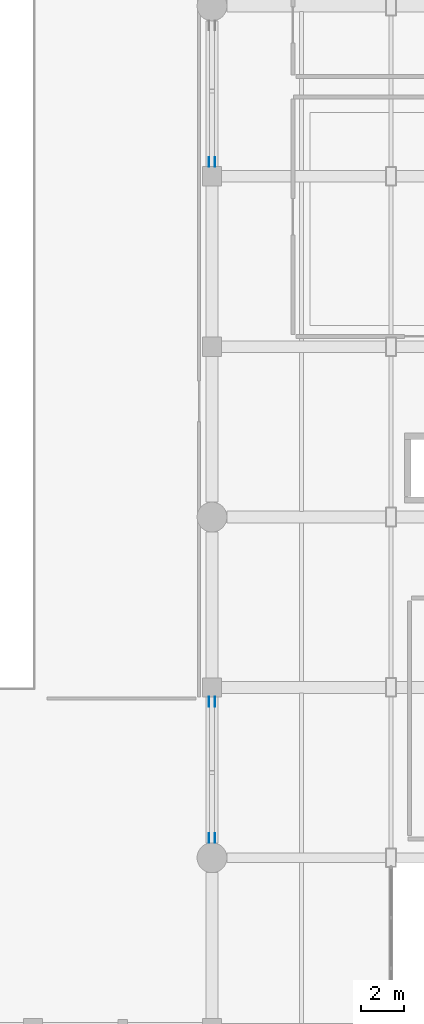
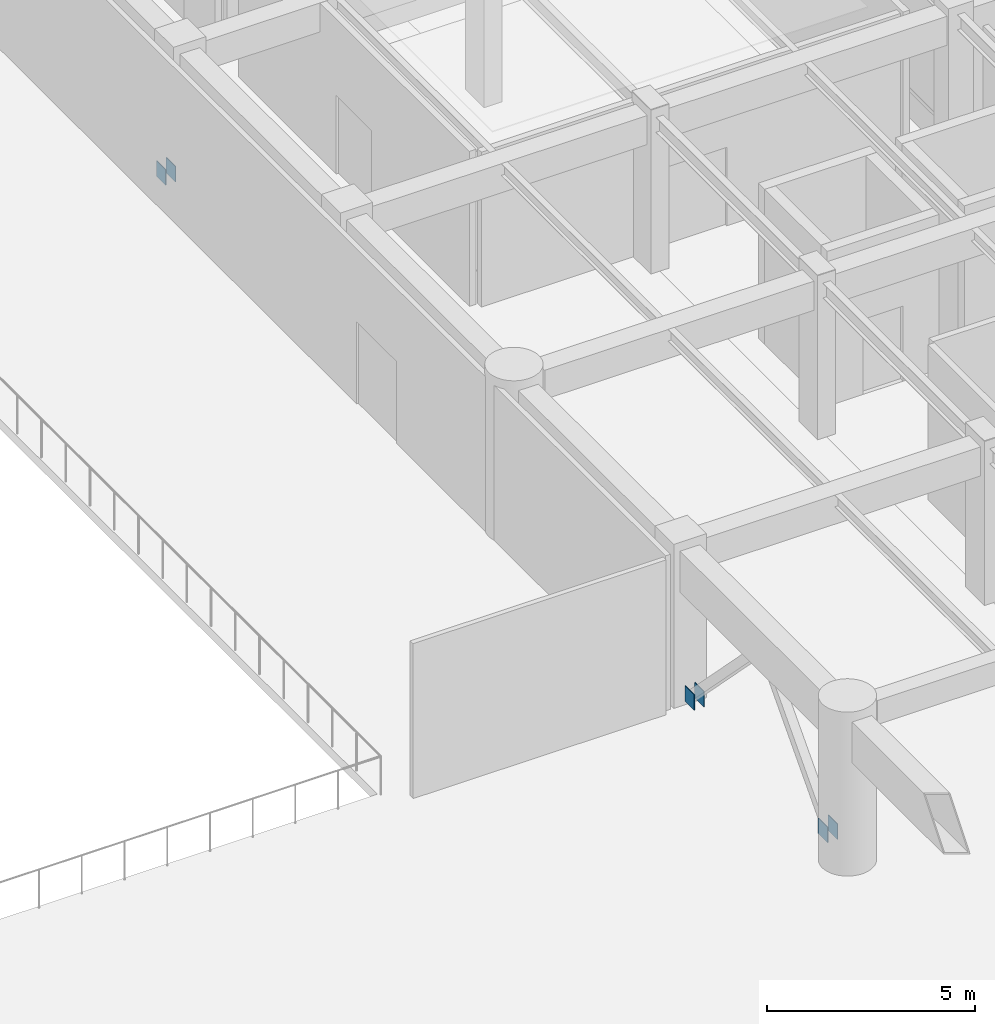
# One storey, part 68 of 76: 6 discrete accessories.
"""IFC4 building model written with IfcOpenShell, lengths in metres."""

from ifc_helpers import new_model, si_unit, direction, frame, origin, origin_2d, place, context, subcontext, project, spatial, rectangle, extrude, material, layer, layer_set, type_object, element, save


model = new_model("IFC4")

# Units and contexts
model_context = context("Model", 3, precision=1e-05, world=origin(), true_north=direction((0.0, 1.0)))
body_context = subcontext(model_context, "Body", "Model", "MODEL_VIEW")
ifc_project = project(units=[si_unit("LENGTHUNIT", "METRE"), si_unit("AREAUNIT", "SQUARE_METRE"), si_unit("VOLUMEUNIT", "CUBIC_METRE"), si_unit("PLANEANGLEUNIT", "RADIAN"), si_unit("MASSUNIT", "GRAM", prefix="KILO")], contexts=[model_context])

# Site, building, storey
site_placement = place(None, origin())
site = spatial("IfcSite", under=ifc_project, at=site_placement, CompositionType="ELEMENT")
building_placement = place(site_placement, origin())
building = spatial("IfcBuilding", under=site, at=building_placement, Name="Naruveol Harbour Congress Hotel", CompositionType="ELEMENT")
storey_placement = place(building_placement, frame((0.0, 0.0, 11.39990234375)))
storey = spatial("IfcBuildingStorey", under=building, at=storey_placement, Name="L02", CompositionType="ELEMENT", Elevation=11.39990234375)

# Discrete accessories
ifc_material = material(Name="Steel SN490", Category="steel")
ifc_layer = layer(ifc_material, 0.02001953125)
ifc_layer_set = layer_set([ifc_layer], Name="Steel SN490")
discrete_accessory_type = type_object("IfcDiscreteAccessoryType", Name="STEEL BRACE GUSSET PLATE 20", PredefinedType="USERDEFINED", material=ifc_layer_set)
for number, where, z_axis, x_axis, name in (
    (1, (50.264892578125, 8.925048828125, 0.1103515625), (0.0, 0.0, 1.0), (0.0, 1.0, 0.0), "Brace gusset plate Lateral chevron brace L02 #16A (A)"),
    (2, (50.534912109375, 8.925048828125, 0.1103515625), (0.0, 0.0, 1.0), (0.0, 1.0, 0.0), "Brace gusset plate Lateral chevron brace L02 #16A (B)"),
    (3, (50.534912109375, 15.324951171875, 0.1103515625), (0.0, 0.0, 1.0), (0.0, -1.0, 0.0), "Brace gusset plate Lateral chevron brace L02 #16B (A)"),
    (4, (50.264892578125, 15.324951171875, 0.1103515625), (0.0, 0.0, 1.0), (0.0, -1.0, 0.0), "Brace gusset plate Lateral chevron brace L02 #16B (B)"),
    (5, (50.264892578125, 40.675048828125, 0.1103515625), (0.0, 0.0, 1.0), (0.0, 1.0, 0.0), "Brace gusset plate Lateral chevron brace L02 #17A (A)"),
    (6, (50.534912109375, 40.675048828125, 0.1103515625), (0.0, 0.0, 1.0), (0.0, 1.0, 0.0), "Brace gusset plate Lateral chevron brace L02 #17A (B)"),
):
    element("IfcDiscreteAccessory", number, at=place(storey_placement, frame(where, z_axis=z_axis, x_axis=x_axis)), inside=storey, type_object=discrete_accessory_type, Name=name, ObjectType="BRACE GUSSET PLATE", PredefinedType="USERDEFINED", context=body_context, shape_type="SweptSolid", body=[
        extrude(rectangle(XDim=0.449951171875, YDim=0.02001953125, at=origin_2d()), origin(), (0.0, 0.0, 1.0), 0.449951171875),
    ])

save(model, "model.ifc")
